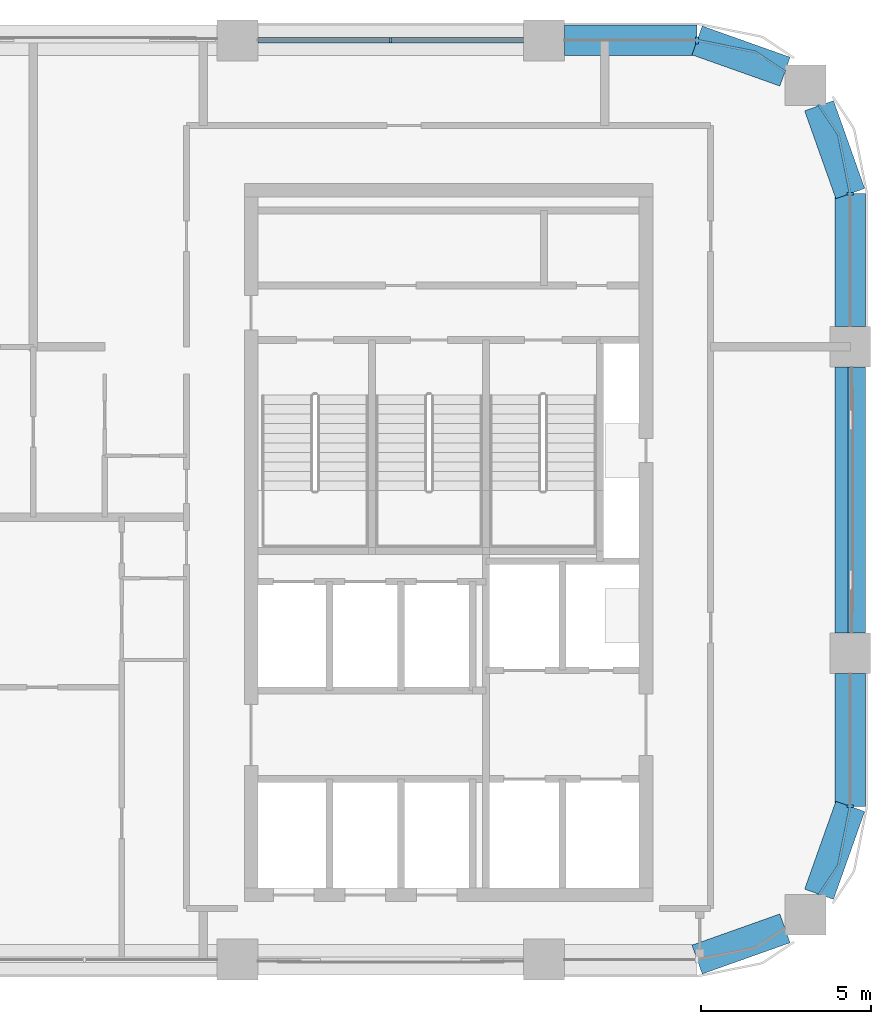
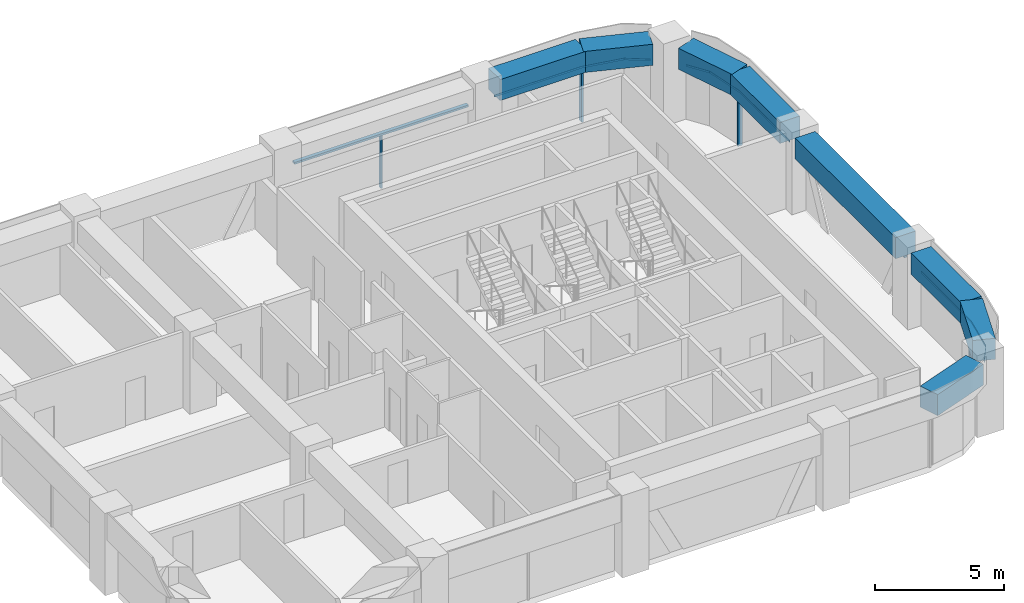
# One storey, part 4 of 9: 9 members, 8 beams, 5 elements without a shape of their own.
"""IFC4 building model written with IfcOpenShell, lengths in metres."""

from ifc_helpers import new_model, si_unit, direction, frame, origin, origin_2d, place, context, subcontext, project, spatial, polyline, rectangle, outline, extrude, material, material_profile, profile_set, type_object, element, aggregate, save


model = new_model("IFC4")

# Units and contexts
model_context = context("Model", 3, precision=1e-05, world=origin(), true_north=direction((0.0, 1.0)))
body_context = subcontext(model_context, "Body", "Model", "MODEL_VIEW")
ifc_project = project(units=[si_unit("LENGTHUNIT", "METRE"), si_unit("AREAUNIT", "SQUARE_METRE"), si_unit("VOLUMEUNIT", "CUBIC_METRE"), si_unit("PLANEANGLEUNIT", "RADIAN"), si_unit("MASSUNIT", "GRAM", prefix="KILO")], contexts=[model_context])

# Site, building, storey
site_placement = place(None, origin())
site = spatial("IfcSite", under=ifc_project, at=site_placement, CompositionType="ELEMENT")
building_placement = place(site_placement, origin())
building = spatial("IfcBuilding", under=site, at=building_placement, Name="Tessera Arch", CompositionType="ELEMENT")
storey_placement = place(building_placement, frame((0.0, 0.0, 246.199951171875)))
storey = spatial("IfcBuildingStorey", under=building, at=storey_placement, Name="L59", CompositionType="ELEMENT", Elevation=246.199951171875)

# Curtain wall, members
ifc_material_1 = material(Name="CW1 curtain wall")
curtain_wall_type_1 = type_object("IfcCurtainWallType", Name="CW1 curtain wall", PredefinedType="NOTDEFINED", material=ifc_material_1)
curtain_wall_1_placement = place(storey_placement, origin())
curtain_wall_1 = element("IfcCurtainWall", 1, at=curtain_wall_1_placement, inside=storey, type_object=curtain_wall_type_1, Name="CW1 curtain wall N54.18/1 L59", PredefinedType="NOTDEFINED")
ifc_material_2 = material(Name="Anodised aluminium pale metal", Category="aluminium")
ifc_material_profile_1 = material_profile(ifc_material_2, rectangle(XDim=0.159912109375, YDim=0.06005859375, at=origin_2d()), Name="AL 60x160")
ifc_profile_set_1 = profile_set([ifc_material_profile_1], Name="Anodised aluminium pale metal")
member_type_1 = type_object("IfcMemberType", Name="CW1 mullion", PredefinedType="MULLION", material=ifc_profile_set_1)
member_1_placement = place(storey_placement, frame((40.5, 54.0, 0.0), z_axis=(0.0, 0.0, 1.0), x_axis=(0.0, -1.0, 0.0)))
member_1 = element("IfcMember", 2, at=member_1_placement, type_object=member_type_1, Name="CW1 mullion N54.18/1 1", PredefinedType="MULLION", context=body_context, shape_type="SweptSolid", body=[
    extrude(rectangle(XDim=0.159912109375, YDim=0.06005859375, at=origin_2d()), origin(), (0.0, 0.0, 1.0), 2.5),
])
ifc_material_3 = material(Name="Anodised aluminium pale metal", Category="aluminium")
ifc_material_profile_2 = material_profile(ifc_material_3, rectangle(XDim=0.159912109375, YDim=0.10009765625, at=origin_2d()), Name="AL 160x100")
ifc_profile_set_2 = profile_set([ifc_material_profile_2], Name="Anodised aluminium pale metal")
member_type_2 = type_object("IfcMemberType", Name="CW1 transom", PredefinedType="USERDEFINED", material=ifc_profile_set_2)
member_2_placement = place(storey_placement, frame((44.39990234375, 54.0, 2.550048828125), z_axis=(-1.0, 0.0, 0.0), x_axis=(0.0, -1.0, 0.0)))
member_2 = element("IfcMember", 3, at=member_2_placement, type_object=member_type_2, Name="CW1 transom N54.18/1 1.1", ObjectType="TRANSOM", PredefinedType="USERDEFINED", context=body_context, shape_type="SweptSolid", body=[
    extrude(rectangle(XDim=0.159912109375, YDim=0.10009765625, at=origin_2d()), origin(), (0.0, 0.0, 1.0), 7.7998046875),
])
aggregate(curtain_wall_1, [member_1, member_2])

# Curtain wall, member
ifc_material_4 = material(Name="CW2 curtain wall")
curtain_wall_type_2 = type_object("IfcCurtainWallType", Name="CW2 curtain wall", PredefinedType="NOTDEFINED", material=ifc_material_4)
curtain_wall_2_placement = place(storey_placement, origin())
curtain_wall_2 = element("IfcCurtainWall", 4, at=curtain_wall_2_placement, inside=storey, type_object=curtain_wall_type_2, Name="CW2 curtain wall E54.27/1 L59", PredefinedType="NOTDEFINED")
ifc_material_5 = material(Name="Anodised aluminium pale metal", Category="aluminium")
ifc_material_profile_3 = material_profile(ifc_material_5, rectangle(XDim=0.199951171875, YDim=0.080078125, at=origin_2d()), Name="AL 80x200")
ifc_profile_set_3 = profile_set([ifc_material_profile_3], Name="Anodised aluminium pale metal")
member_type_3 = type_object("IfcMemberType", Name="CW2 mullion", PredefinedType="MULLION", material=ifc_profile_set_3)
member_3_placement = place(storey_placement, frame((54.0, 49.5, 0.0), z_axis=(0.0, 0.0, 1.0), x_axis=(-1.0, 0.0, 0.0)))
member_3 = element("IfcMember", 5, at=member_3_placement, type_object=member_type_3, Name="CW2 mullion E54.27/1 1", PredefinedType="MULLION", context=body_context, shape_type="SweptSolid", body=[
    extrude(rectangle(XDim=0.199951171875, YDim=0.080078125, at=origin_2d()), origin(), (0.0, 0.0, 1.0), 2.5),
])

curtain_wall_3_placement = place(storey_placement, origin())
curtain_wall_3 = element("IfcCurtainWall", 6, at=curtain_wall_3_placement, inside=storey, type_object=curtain_wall_type_2, Name="CW2 curtain wall N54.18/0 L59", PredefinedType="NOTDEFINED")
member_4_placement = place(storey_placement, frame((49.5, 54.0, 0.0), z_axis=(0.0, 0.0, 1.0), x_axis=(0.0, -1.0, 0.0)))
member_4 = element("IfcMember", 7, at=member_4_placement, type_object=member_type_3, Name="CW2 mullion N54.18/0 1", PredefinedType="MULLION", context=body_context, shape_type="SweptSolid", body=[
    extrude(rectangle(XDim=0.199951171875, YDim=0.080078125, at=origin_2d()), origin(), (0.0, 0.0, 1.0), 2.5),
])

curtain_wall_4_placement = place(storey_placement, origin())
curtain_wall_4 = element("IfcCurtainWall", 8, at=curtain_wall_4_placement, inside=storey, type_object=curtain_wall_type_2, Name="CW2 curtain wall E54.27/2 L59", PredefinedType="NOTDEFINED")
member_5_placement = place(storey_placement, frame((54.0, 31.5, 0.0), z_axis=(0.0, 0.0, 1.0), x_axis=(-1.0, 0.0, 0.0)))
member_5 = element("IfcMember", 9, at=member_5_placement, type_object=member_type_3, Name="CW2 mullion E54.27/2 1", PredefinedType="MULLION", context=body_context, shape_type="SweptSolid", body=[
    extrude(rectangle(XDim=0.199951171875, YDim=0.080078125, at=origin_2d()), origin(), (0.0, 0.0, 1.0), 2.5),
])

# Member
ifc_material_6 = material(Name="Anodised aluminium pale metal", Category="aluminium")
ifc_material_profile_4 = material_profile(ifc_material_6, rectangle(XDim=0.199951171875, YDim=0.10009765625, at=origin_2d()), Name="AL 200x100")
ifc_profile_set_4 = profile_set([ifc_material_profile_4], Name="Anodised aluminium pale metal")
member_type_4 = type_object("IfcMemberType", Name="CW2 transom", PredefinedType="USERDEFINED", material=ifc_profile_set_4)
member_6_placement = place(storey_placement, frame((0.0, 0.0, 2.5)))
member_6 = element("IfcMember", 10, at=member_6_placement, type_object=member_type_4, Name="CW2 transom E54.27/1 1", ObjectType="TRANSOM", PredefinedType="USERDEFINED", context=body_context, shape_type="SweptSolid", body=[
    extrude(outline(polyline([(53.989990234375, 49.4990234375), (53.989990234375, 45.60009765625), (54.010009765625, 45.60009765625), (54.010009765625, 49.5009765625), (53.6669921875, 51.22607421875), (53.09130859375, 52.087646484375), (53.07470703125, 52.076416015625), (53.648193359375, 51.21826171875), (53.989990234375, 49.4990234375)])), origin(), (0.0, 0.0, 1.0), 0.10009765625),
])

aggregate(curtain_wall_2, [member_3, member_6])

member_7_placement = place(storey_placement, frame((0.0, 0.0, 2.5)))
member_7 = element("IfcMember", 11, at=member_7_placement, type_object=member_type_4, Name="CW2 transom N54.18/0 1", ObjectType="TRANSOM", PredefinedType="USERDEFINED", context=body_context, shape_type="SweptSolid", body=[
    extrude(outline(polyline([(51.21826171875, 53.648193359375), (52.076416015625, 53.07470703125), (52.087646484375, 53.09130859375), (51.22607421875, 53.6669921875), (49.5009765625, 54.010009765625), (45.60009765625, 54.010009765625), (45.60009765625, 53.989990234375), (49.4990234375, 53.989990234375), (51.21826171875, 53.648193359375)])), origin(), (0.0, 0.0, 1.0), 0.10009765625),
])

aggregate(curtain_wall_3, [member_4, member_7])

member_8_placement = place(storey_placement, frame((0.0, 0.0, 2.5)))
member_8 = element("IfcMember", 12, at=member_8_placement, type_object=member_type_4, Name="CW2 transom E54.27/2 1", ObjectType="TRANSOM", PredefinedType="USERDEFINED", context=body_context, shape_type="SweptSolid", body=[
    extrude(outline(polyline([(53.648193359375, 29.78173828125), (53.07470703125, 28.923583984375), (53.09130859375, 28.912353515625), (53.6669921875, 29.77392578125), (54.010009765625, 31.4990234375), (54.010009765625, 35.39990234375), (53.989990234375, 35.39990234375), (53.989990234375, 31.5009765625), (53.648193359375, 29.78173828125)])), origin(), (0.0, 0.0, 1.0), 0.10009765625),
])

aggregate(curtain_wall_4, [member_5, member_8])

# Curtain wall, member
ifc_material_7 = material(Name="CW3 curtain wall")
curtain_wall_type_3 = type_object("IfcCurtainWallType", Name="CW3 curtain wall", PredefinedType="NOTDEFINED", material=ifc_material_7)
curtain_wall_5_placement = place(storey_placement, origin())
curtain_wall_5 = element("IfcCurtainWall", 13, at=curtain_wall_5_placement, inside=storey, type_object=curtain_wall_type_3, Name="CW3 curtain wall E54.27/0 L59", PredefinedType="NOTDEFINED")
ifc_material_8 = material(Name="Anodised aluminium pale metal", Category="aluminium")
ifc_material_profile_5 = material_profile(ifc_material_8, rectangle(XDim=0.139892578125, YDim=0.10009765625, at=origin_2d()), Name="AL 140x100")
ifc_profile_set_5 = profile_set([ifc_material_profile_5], Name="Anodised aluminium pale metal")
member_type_5 = type_object("IfcMemberType", Name="CW3 transom", PredefinedType="USERDEFINED", material=ifc_profile_set_5)
member_9_placement = place(storey_placement, frame((54.0, 36.60009765625, 2.550048828125), z_axis=(0.0, 1.0, 0.0), x_axis=(-1.0, 0.0, 0.0)))
member_9 = element("IfcMember", 14, at=member_9_placement, type_object=member_type_5, Name="CW3 transom E54.27/0 1.1", ObjectType="TRANSOM", PredefinedType="USERDEFINED", context=body_context, shape_type="SweptSolid", body=[
    extrude(rectangle(XDim=0.139892578125, YDim=0.10009765625, at=origin_2d()), origin(), (0.0, 0.0, 1.0), 7.7998046875),
])
aggregate(curtain_wall_5, [member_9])

# Beams
ifc_material_9 = material(Name="Concrete C60/75", Category="concrete")
ifc_material_profile_6 = material_profile(ifc_material_9, rectangle(XDim=0.89990234375, YDim=1.0, at=origin_2d()), Name="RC spandrel beam 900 x 1000 Concrete C60/75")
ifc_profile_set_6 = profile_set([ifc_material_profile_6], Name="Concrete C60/75")
beam_type = type_object("IfcBeamType", Name="RC spandrel beam 900 x 1000 Concrete C60/75", PredefinedType="BEAM", material=ifc_profile_set_6)
beam_1_placement = place(storey_placement, frame((54.0, 36.60009765625, 3.10009765625), z_axis=(0.0, 1.0, 0.0), x_axis=(-1.0, 0.0, 0.0)))
element("IfcBeam", 15, at=beam_1_placement, inside=storey, type_object=beam_type, Name="Spandrel beam L59 E54.27/0", PredefinedType="BEAM", context=body_context, shape_type="SweptSolid", body=[
    extrude(rectangle(XDim=0.89990234375, YDim=1.0, at=origin_2d()), origin(), (0.0, 0.0, 1.0), 7.7998046875),
])
beam_2_placement = place(storey_placement, frame((54.0, 45.60009765625, 3.10009765625), z_axis=(0.0, 1.0, 0.0), x_axis=(-1.0, 0.0, 0.0)))
element("IfcBeam", 16, at=beam_2_placement, inside=storey, type_object=beam_type, Name="Spandrel beam L59 E54.27/1.1", PredefinedType="BEAM", context=body_context, shape_type="SweptSolid", body=[
    extrude(rectangle(XDim=0.89990234375, YDim=1.0, at=origin_2d()), origin(), (0.0, 0.0, 1.0), 3.89990234375),
])
for number, where, z_axis, x_axis, name in (
    (17, (54.0, 49.5, 3.10009765625), (-0.334665114373, 0.942337127159, 0.0), (-0.942337127159, -0.334665114373, 0.0), "Spandrel beam L59 E54.27/1.2"),
    (18, (52.08203125, 53.0830078125, 3.10009765625), (-0.942337127159, 0.334665114373, 0.0), (-0.334665114373, -0.942337127159, 0.0), "Spandrel beam L59 N54.18/0.1"),
):
    element("IfcBeam", number, at=place(storey_placement, frame(where, z_axis=z_axis, x_axis=x_axis)), inside=storey, type_object=beam_type, Name=name, PredefinedType="BEAM", context=body_context, shape_type="SweptSolid", body=[
        extrude(rectangle(XDim=0.89990234375, YDim=1.0, at=origin_2d()), origin(), (0.0, 0.0, 1.0), 2.739990234375),
    ])
beam_3_placement = place(storey_placement, frame((49.5, 54.0, 3.10009765625), z_axis=(-1.0, 0.0, 0.0), x_axis=(0.0, -1.0, 0.0)))
element("IfcBeam", 19, at=beam_3_placement, inside=storey, type_object=beam_type, Name="Spandrel beam L59 N54.18/0.2", PredefinedType="BEAM", context=body_context, shape_type="SweptSolid", body=[
    extrude(rectangle(XDim=0.89990234375, YDim=1.0, at=origin_2d()), origin(), (0.0, 0.0, 1.0), 3.89990234375),
])
for number, where, z_axis, x_axis, name in (
    (20, (49.5, 27.0, 3.10009765625), (0.942337127159, 0.334665114373, 0.0), (-0.334665114373, 0.942337127159, 0.0), "Spandrel beam L59 S27.18/3.2"),
    (21, (53.0830078125, 28.91796875, 3.10009765625), (0.334665114373, 0.942337127159, 0.0), (-0.942337127159, 0.334665114373, 0.0), "Spandrel beam L59 E54.27/2.1"),
):
    element("IfcBeam", number, at=place(storey_placement, frame(where, z_axis=z_axis, x_axis=x_axis)), inside=storey, type_object=beam_type, Name=name, PredefinedType="BEAM", context=body_context, shape_type="SweptSolid", body=[
        extrude(rectangle(XDim=0.89990234375, YDim=1.0, at=origin_2d()), origin(), (0.0, 0.0, 1.0), 2.739990234375),
    ])
beam_4_placement = place(storey_placement, frame((54.0, 31.5, 3.10009765625), z_axis=(0.0, 1.0, 0.0), x_axis=(-1.0, 0.0, 0.0)))
element("IfcBeam", 22, at=beam_4_placement, inside=storey, type_object=beam_type, Name="Spandrel beam L59 E54.27/2.2", PredefinedType="BEAM", context=body_context, shape_type="SweptSolid", body=[
    extrude(rectangle(XDim=0.89990234375, YDim=1.0, at=origin_2d()), origin(), (0.0, 0.0, 1.0), 3.89990234375),
])

save(model, "model.ifc")
